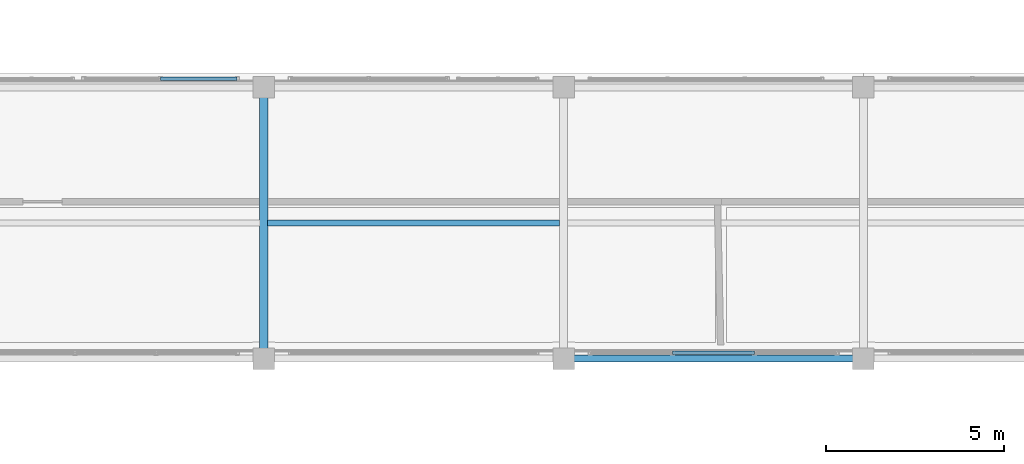
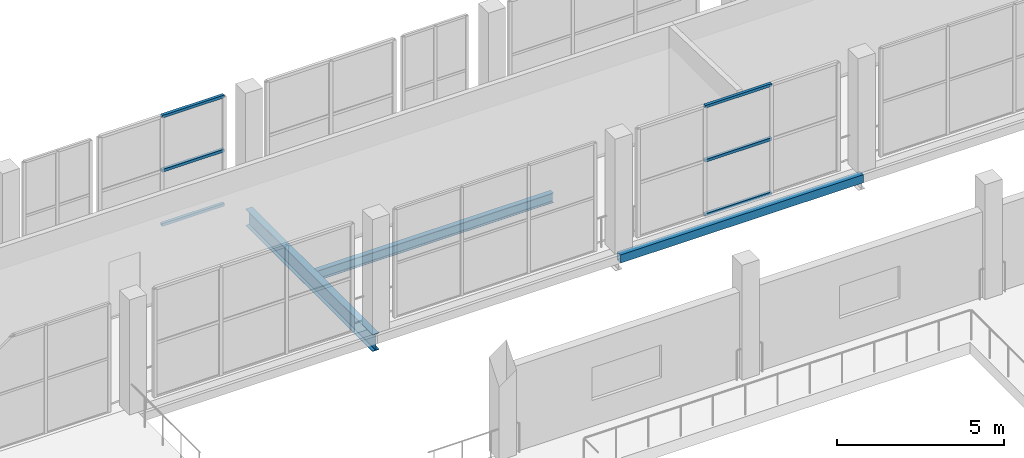
# One storey, part 37 of 151: 6 members, 3 beams, 2 elements without a shape of their own.
"""IFC4 building model written with IfcOpenShell, lengths in metres."""

from ifc_helpers import new_model, si_unit, direction, frame, origin, origin_2d, place, context, subcontext, project, spatial, hollow_rectangle, i_section, extrude, material, material_profile, profile_set, type_object, element, aggregate, save


model = new_model("IFC4")

# Units and contexts
model_context = context("Model", 3, precision=1e-05, world=origin(), true_north=direction((0.0, 1.0)))
body_context = subcontext(model_context, "Body", "Model", "MODEL_VIEW")
ifc_project = project(units=[si_unit("LENGTHUNIT", "METRE"), si_unit("AREAUNIT", "SQUARE_METRE"), si_unit("VOLUMEUNIT", "CUBIC_METRE"), si_unit("PLANEANGLEUNIT", "RADIAN"), si_unit("MASSUNIT", "GRAM", prefix="KILO")], contexts=[model_context])

# Site, building, storey
site_placement = place(None, origin())
site = spatial("IfcSite", under=ifc_project, at=site_placement, CompositionType="ELEMENT")
building_placement = place(site_placement, origin())
building = spatial("IfcBuilding", under=site, at=building_placement, Name="Zuvorla Pavilion Media Centre", CompositionType="ELEMENT")
storey_placement = place(building_placement, frame((0.0, 0.0, 13.800048828125)))
storey = spatial("IfcBuildingStorey", under=building, at=storey_placement, Name="L03", CompositionType="ELEMENT", Elevation=13.800048828125)

# Beams
ifc_material_1 = material(Name="Steel S355", Category="steel")
ifc_material_profile_1 = material_profile(ifc_material_1, hollow_rectangle(XDim=0.199951171875, YDim=0.300048828125, WallThickness=0.012451171875, at=origin_2d()), Name="RHS 300x200x12.5")
ifc_profile_set_1 = profile_set([ifc_material_profile_1], Name="Steel S355")
beam_type_1 = type_object("IfcBeamType", Name="BM-SP-RHS300", PredefinedType="SPANDREL", material=ifc_profile_set_1)
beam_1_placement = place(storey_placement, frame((83.60009765625, 44.0, -0.407958984375), z_axis=(1.0, 0.0, 0.0), x_axis=(0.0, 1.0, 0.0)))
element("IfcBeam", 1, at=beam_1_placement, inside=storey, type_object=beam_type_1, Name="L03 spandrel SP01 1082", PredefinedType="SPANDREL", context=body_context, shape_type="SweptSolid", body=[
    extrude(hollow_rectangle(XDim=0.199951171875, YDim=0.300048828125, WallThickness=0.012451171875, at=origin_2d()), origin(), (0.0, 0.0, 1.0), 8.39990234375),
])
ifc_material_profile_2 = material_profile(ifc_material_1, i_section(OverallWidth=0.172119140625, OverallDepth=0.35791015625, WebThickness=0.008056640625, FlangeThickness=0.012939453125, FilletRadius=0.01025390625, at=origin_2d()), Name="UB 356x171x57")
ifc_profile_set_2 = profile_set([ifc_material_profile_2], Name="Steel S355")
beam_type_2 = type_object("IfcBeamType", Name="BM-UB356", PredefinedType="JOIST", material=ifc_profile_set_2)
beam_2_placement = place(storey_placement, frame((75.3095703125, 47.800048828125, -0.43701171875), z_axis=(1.0, 0.0, 0.0), x_axis=(0.0, 1.0, 0.0)))
element("IfcBeam", 2, at=beam_2_placement, inside=storey, type_object=beam_type_2, Name="L03 joist J03 1263", PredefinedType="JOIST", context=body_context, shape_type="SweptSolid", body=[
    extrude(i_section(OverallWidth=0.172119140625, OverallDepth=0.35791015625, WebThickness=0.008056640625, FlangeThickness=0.012939453125, FilletRadius=0.01025390625, at=origin_2d()), origin(), (0.0, 0.0, 1.0), 8.180908203125),
])
ifc_material_profile_3 = material_profile(ifc_material_1, i_section(OverallWidth=0.22900390625, OverallDepth=0.6123046875, WebThickness=0.011962890625, FlangeThickness=0.01953125, FilletRadius=0.0126953125, at=origin_2d()), Name="UB 610x229x125")
ifc_profile_set_3 = profile_set([ifc_material_profile_3], Name="Steel S355")
beam_type_3 = type_object("IfcBeamType", Name="BM-UB610", PredefinedType="BEAM", material=ifc_profile_set_3)
beam_3_placement = place(storey_placement, frame((75.199951171875, 44.0, -0.564208984375), z_axis=(0.0, 1.0, 0.0), x_axis=(-1.0, 0.0, 0.0)))
element("IfcBeam", 3, at=beam_3_placement, inside=storey, type_object=beam_type_3, Name="L03 beam B07 1188", PredefinedType="BEAM", context=body_context, shape_type="SweptSolid", body=[
    extrude(i_section(OverallWidth=0.22900390625, OverallDepth=0.6123046875, WebThickness=0.011962890625, FlangeThickness=0.01953125, FilletRadius=0.0126953125, at=origin_2d()), origin(), (0.0, 0.0, 1.0), 7.60009765625),
])

# Curtain wall, members
ifc_material_2 = material(Name="Unitised anodised aluminium and solar glass curtain wall", Category="aluminium")
curtain_wall_type_1 = type_object("IfcCurtainWallType", Name="CW-SYS-71", PredefinedType="USERDEFINED", material=ifc_material_2)
curtain_wall_1_placement = place(storey_placement, origin())
curtain_wall_1 = element("IfcCurtainWall", 4, at=curtain_wall_1_placement, inside=storey, type_object=curtain_wall_type_1, Name="L03 curtain wall CW71 139", ObjectType="CURTAIN WALL", PredefinedType="USERDEFINED")
ifc_material_3 = material(Name="Anodised aluminium 6063-T6", Category="aluminium")
ifc_material_profile_4 = material_profile(ifc_material_3, hollow_rectangle(XDim=0.10009765625, YDim=0.10009765625, WallThickness=0.00439453125, at=origin_2d()), Name="ALU TRAN 100x100")
ifc_profile_set_4 = profile_set([ifc_material_profile_4], Name="Anodised aluminium 6063-T6")
member_type = type_object("IfcMemberType", Name="CW-TRAN-100", PredefinedType="USERDEFINED", material=ifc_profile_set_4)
member_1_placement = place(storey_placement, frame((86.648193359375, 44.159912109375, 0.0), z_axis=(1.0, 0.0, 0.0), x_axis=(0.0, 1.0, 0.0)))
member_1 = element("IfcMember", 5, at=member_1_placement, type_object=member_type, Name="CW71 transom 2.1", ObjectType="TRANSOM", PredefinedType="USERDEFINED", context=body_context, shape_type="SweptSolid", body=[
    extrude(hollow_rectangle(XDim=0.10009765625, YDim=0.10009765625, WallThickness=0.00439453125, at=origin_2d()), origin(), (0.0, 0.0, 1.0), 2.3037109375),
])
member_2_placement = place(storey_placement, frame((86.648193359375, 44.159912109375, 1.97998046875), z_axis=(1.0, 0.0, 0.0), x_axis=(0.0, 1.0, 0.0)))
member_2 = element("IfcMember", 6, at=member_2_placement, type_object=member_type, Name="CW71 transom 2.2", ObjectType="TRANSOM", PredefinedType="USERDEFINED", context=body_context, shape_type="SweptSolid", body=[
    extrude(hollow_rectangle(XDim=0.10009765625, YDim=0.10009765625, WallThickness=0.00439453125, at=origin_2d()), origin(), (0.0, 0.0, 1.0), 2.3037109375),
])
member_3_placement = place(storey_placement, frame((86.648193359375, 44.159912109375, 3.9599609375), z_axis=(1.0, 0.0, 0.0), x_axis=(0.0, 1.0, 0.0)))
member_3 = element("IfcMember", 7, at=member_3_placement, type_object=member_type, Name="CW71 transom 2.3", ObjectType="TRANSOM", PredefinedType="USERDEFINED", context=body_context, shape_type="SweptSolid", body=[
    extrude(hollow_rectangle(XDim=0.10009765625, YDim=0.10009765625, WallThickness=0.00439453125, at=origin_2d()), origin(), (0.0, 0.0, 1.0), 2.3037109375),
])
aggregate(curtain_wall_1, [member_1, member_2, member_3])

curtain_wall_type_2 = type_object("IfcCurtainWallType", Name="CW-SYS-41", PredefinedType="USERDEFINED", material=ifc_material_2)
curtain_wall_2_placement = place(storey_placement, origin())
curtain_wall_2 = element("IfcCurtainWall", 8, at=curtain_wall_2_placement, inside=storey, type_object=curtain_wall_type_2, Name="L03 curtain wall CW41 160", ObjectType="CURTAIN WALL", PredefinedType="USERDEFINED")
member_4_placement = place(storey_placement, frame((72.307861328125, 51.840087890625, 0.0), z_axis=(1.0, 0.0, 0.0), x_axis=(0.0, 1.0, 0.0)))
member_4 = element("IfcMember", 9, at=member_4_placement, type_object=member_type, Name="CW41 transom 2.1", ObjectType="TRANSOM", PredefinedType="USERDEFINED", context=body_context, shape_type="SweptSolid", body=[
    extrude(hollow_rectangle(XDim=0.10009765625, YDim=0.10009765625, WallThickness=0.00439453125, at=origin_2d()), origin(), (0.0, 0.0, 1.0), 2.14794921875),
])
member_5_placement = place(storey_placement, frame((72.307861328125, 51.840087890625, 1.97998046875), z_axis=(1.0, 0.0, 0.0), x_axis=(0.0, 1.0, 0.0)))
member_5 = element("IfcMember", 10, at=member_5_placement, type_object=member_type, Name="CW41 transom 2.2", ObjectType="TRANSOM", PredefinedType="USERDEFINED", context=body_context, shape_type="SweptSolid", body=[
    extrude(hollow_rectangle(XDim=0.10009765625, YDim=0.10009765625, WallThickness=0.00439453125, at=origin_2d()), origin(), (0.0, 0.0, 1.0), 2.14794921875),
])
member_6_placement = place(storey_placement, frame((72.307861328125, 51.840087890625, 3.9599609375), z_axis=(1.0, 0.0, 0.0), x_axis=(0.0, 1.0, 0.0)))
member_6 = element("IfcMember", 11, at=member_6_placement, type_object=member_type, Name="CW41 transom 2.3", ObjectType="TRANSOM", PredefinedType="USERDEFINED", context=body_context, shape_type="SweptSolid", body=[
    extrude(hollow_rectangle(XDim=0.10009765625, YDim=0.10009765625, WallThickness=0.00439453125, at=origin_2d()), origin(), (0.0, 0.0, 1.0), 2.14794921875),
])
aggregate(curtain_wall_2, [member_4, member_5, member_6])

save(model, "model.ifc")
